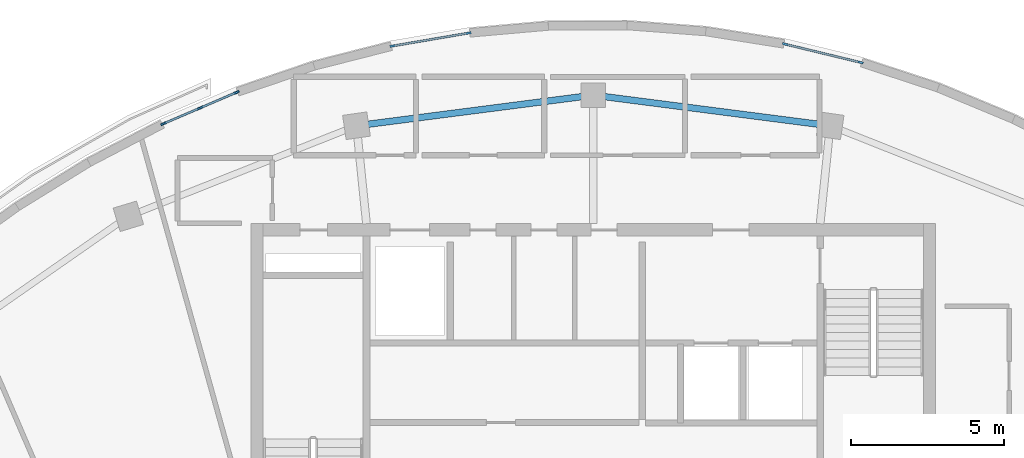
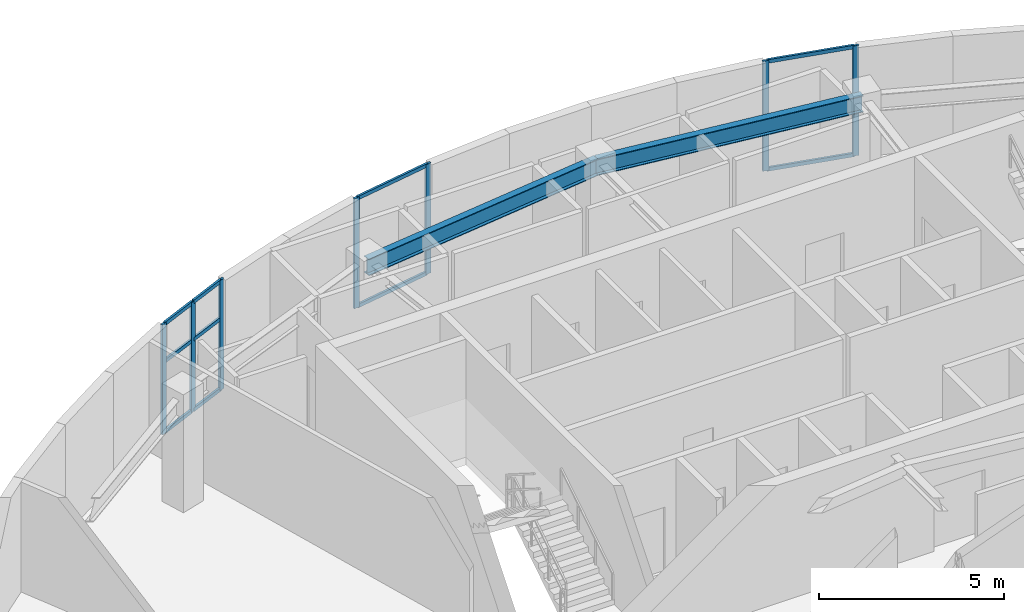
# One storey, part 4 of 11: 17 members, 2 beams, 3 elements without a shape of their own.
"""IFC4 building model written with IfcOpenShell, lengths in metres."""

from ifc_helpers import new_model, si_unit, direction, frame, origin, origin_2d, place, context, subcontext, project, spatial, rectangle, i_section, extrude, source, transform, mapped, material, layer, layer_set, material_profile, profile_set, type_object, element, aggregate, save


model = new_model("IFC4")

# Units and contexts
model_context = context("Model", 3, precision=1e-05, world=origin(), true_north=direction((0.0, 1.0)))
body_context = subcontext(model_context, "Body", "Model", "MODEL_VIEW")
ifc_project = project(units=[si_unit("LENGTHUNIT", "METRE"), si_unit("AREAUNIT", "SQUARE_METRE"), si_unit("VOLUMEUNIT", "CUBIC_METRE"), si_unit("PLANEANGLEUNIT", "RADIAN"), si_unit("MASSUNIT", "GRAM", prefix="KILO")], contexts=[model_context])

# Site, building, storey
site_placement = place(None, origin())
site = spatial("IfcSite", under=ifc_project, at=site_placement, CompositionType="ELEMENT")
building_placement = place(site_placement, origin())
building = spatial("IfcBuilding", under=site, at=building_placement, Name="Breltana Convention Tower", CompositionType="ELEMENT")
storey_placement = place(building_placement, frame((0.0, 0.0, 275.699951171875)))
storey = spatial("IfcBuildingStorey", under=building, at=storey_placement, Name="L67", CompositionType="ELEMENT", Elevation=275.699951171875)

# Beams
ifc_material_1 = material(Name="Steel ASTM A992 Grade 50", Category="steel")
ifc_material_profile_1 = material_profile(ifc_material_1, i_section(OverallWidth=0.214111328125, OverallDepth=0.549072265625, WebThickness=0.0146484375, FlangeThickness=0.023681640625, at=origin_2d()), Name="W21X93")
ifc_profile_set_1 = profile_set([ifc_material_profile_1], Name="Steel ASTM A992 Grade 50")
beam_type = type_object("IfcBeamType", Name="BM-SP-W21X93", PredefinedType="SPANDREL", material=ifc_profile_set_1)
shared_shape_1 = source(origin(), body_context, "Body", "SweptSolid", [
    extrude(i_section(OverallWidth=0.214111328125, OverallDepth=0.549072265625, WebThickness=0.0146484375, FlangeThickness=0.023681640625, at=origin_2d()), origin(), (0.0, 0.0, 1.0), 7.81103515625),
])
for number, where, z_axis, x_axis, name in (
    (1, (40.253173828125, 75.404296875, 3.365478515625), (0.991775179127, 0.127992164083, 0.0), (-0.127992164083, 0.991775179127, 0.0), "L67 Outer Spandrel Beam 05"),
    (2, (48.0, 76.404052734375, 3.365478515625), (0.991775179127, -0.127992164083, 0.0), (0.127992164083, 0.991775179127, 0.0), "L67 Outer Spandrel Beam 06"),
):
    element("IfcBeam", number, at=place(storey_placement, frame(where, z_axis=z_axis, x_axis=x_axis)), inside=storey, type_object=beam_type, Name=name, PredefinedType="SPANDREL", context=body_context, shape_type="MappedRepresentation", body=[
        mapped(shared_shape_1, transform((0.0, 0.0, 0.0), scale=1.0)),
    ])

# Curtain wall, members
ifc_material_2 = material(Name="Aluminium Anodised Bronze Frame", Category="aluminium")
ifc_layer = layer(ifc_material_2, 0.22998046875, Name="Aluminium Anodised Bronze Frame")
ifc_layer_set = layer_set([ifc_layer], Name="Aluminium Anodised Bronze Frame")
curtain_wall_type = type_object("IfcCurtainWallType", Name="CW-SYS-5", PredefinedType="NOTDEFINED", material=ifc_layer_set)
curtain_wall_1_placement = place(storey_placement, origin())
curtain_wall_1 = element("IfcCurtainWall", 3, at=curtain_wall_1_placement, inside=storey, type_object=curtain_wall_type, Name="L67 outer double-skin inner glazing 1", PredefinedType="NOTDEFINED")
ifc_material_3 = material(Name="Aluminium Anodised Bronze", Category="aluminium")
ifc_material_profile_2 = material_profile(ifc_material_3, rectangle(XDim=0.070068359375, YDim=0.175048828125, at=origin_2d()), Name="CWM-70X175")
ifc_profile_set_2 = profile_set([ifc_material_profile_2], Name="Aluminium Anodised Bronze")
member_type_1 = type_object("IfcMemberType", Name="CWM-175", PredefinedType="MULLION", material=ifc_profile_set_2)
shared_shape_2 = source(origin(), body_context, "Body", "SweptSolid", [
    extrude(rectangle(XDim=0.070068359375, YDim=0.175048828125, at=origin_2d()), origin(), (0.0, 0.0, 1.0), 3.64013671875),
])
member_1_placement = place(storey_placement, frame((33.939208984375, 75.47119140625, 0.0), z_axis=(0.0, 0.0, 1.0), x_axis=(-0.394181147261, 0.919032765, 0.0)))
member_1 = element("IfcMember", 4, at=member_1_placement, type_object=member_type_1, Name="CW-05 mullion 1", PredefinedType="MULLION", context=body_context, shape_type="MappedRepresentation", body=[
    mapped(shared_shape_2, transform((0.0, 0.0, 0.0), scale=1.0)),
])
member_2_placement = place(storey_placement, frame((35.135498046875, 75.984375, 0.0), z_axis=(0.0, 0.0, 1.0), x_axis=(-0.394181147261, 0.919032765, 0.0)))
member_2 = element("IfcMember", 5, at=member_2_placement, type_object=member_type_1, Name="CW-05 mullion 2", PredefinedType="MULLION", context=body_context, shape_type="MappedRepresentation", body=[
    mapped(shared_shape_2, transform((0.0, 0.0, 0.0), scale=1.0)),
])
member_3_placement = place(storey_placement, frame((36.33154296875, 76.497314453125, 0.0), z_axis=(0.0, 0.0, 1.0), x_axis=(-0.394181147261, 0.919032765, 0.0)))
member_3 = element("IfcMember", 6, at=member_3_placement, type_object=member_type_1, Name="CW-05 mullion 3", PredefinedType="MULLION", context=body_context, shape_type="MappedRepresentation", body=[
    mapped(shared_shape_2, transform((0.0, 0.0, 0.0), scale=1.0)),
])

curtain_wall_2_placement = place(storey_placement, origin())
curtain_wall_2 = element("IfcCurtainWall", 7, at=curtain_wall_2_placement, inside=storey, type_object=curtain_wall_type, Name="L67 outer double-skin inner glazing 2", PredefinedType="NOTDEFINED")
member_4_placement = place(storey_placement, frame((41.431396484375, 78.012451171875, 0.0), z_axis=(0.0, 0.0, 1.0), x_axis=(-0.168016928095, 0.985784110175, 0.0)))
member_4 = element("IfcMember", 8, at=member_4_placement, type_object=member_type_1, Name="CW-05 mullion 1", PredefinedType="MULLION", context=body_context, shape_type="MappedRepresentation", body=[
    mapped(shared_shape_2, transform((0.0, 0.0, 0.0), scale=1.0)),
])
member_5_placement = place(storey_placement, frame((43.919677734375, 78.4365234375, 0.0), z_axis=(0.0, 0.0, 1.0), x_axis=(-0.168016928095, 0.985784110175, 0.0)))
member_5 = element("IfcMember", 9, at=member_5_placement, type_object=member_type_1, Name="CW-05 mullion 2", PredefinedType="MULLION", context=body_context, shape_type="MappedRepresentation", body=[
    mapped(shared_shape_2, transform((0.0, 0.0, 0.0), scale=1.0)),
])

curtain_wall_3_placement = place(storey_placement, origin())
curtain_wall_3 = element("IfcCurtainWall", 10, at=curtain_wall_3_placement, inside=storey, type_object=curtain_wall_type, Name="L67 outer double-skin inner glazing 3", PredefinedType="NOTDEFINED")
member_6_placement = place(storey_placement, frame((54.273193359375, 78.0732421875, 0.0), z_axis=(0.0, 0.0, 1.0), x_axis=(0.235517807109, 0.971870033767, 0.0)))
member_6 = element("IfcMember", 11, at=member_6_placement, type_object=member_type_1, Name="CW-05 mullion 1", PredefinedType="MULLION", context=body_context, shape_type="MappedRepresentation", body=[
    mapped(shared_shape_2, transform((0.0, 0.0, 0.0), scale=1.0)),
])
member_7_placement = place(storey_placement, frame((56.74267578125, 77.474853515625, 0.0), z_axis=(0.0, 0.0, 1.0), x_axis=(0.235517807109, 0.971870033767, 0.0)))
member_7 = element("IfcMember", 12, at=member_7_placement, type_object=member_type_1, Name="CW-05 mullion 2", PredefinedType="MULLION", context=body_context, shape_type="MappedRepresentation", body=[
    mapped(shared_shape_2, transform((0.0, 0.0, 0.0), scale=1.0)),
])

# Member
ifc_material_profile_3 = material_profile(ifc_material_3, rectangle(XDim=0.070068359375, YDim=0.1201171875, at=origin_2d()), Name="CWT-70X120")
ifc_profile_set_3 = profile_set([ifc_material_profile_3], Name="Aluminium Anodised Bronze")
member_type_2 = type_object("IfcMemberType", Name="CWT-120", PredefinedType="USERDEFINED", material=ifc_profile_set_3)
shared_shape_3 = source(origin(), body_context, "Body", "SweptSolid", [
    extrude(rectangle(XDim=0.070068359375, YDim=0.1201171875, at=origin_2d()), origin(), (0.0, 0.0, 1.0), 1.2314453125),
])
member_8_placement = place(storey_placement, frame((33.971435546875, 75.485107421875, 0.03515625), z_axis=(0.919062977749, 0.394110698828, 0.0), x_axis=(-0.394110698828, 0.919062977749, 0.0)))
member_8 = element("IfcMember", 13, at=member_8_placement, type_object=member_type_2, Name="CW-05 transom 1.1", ObjectType="TRANSOM", PredefinedType="USERDEFINED", context=body_context, shape_type="MappedRepresentation", body=[
    mapped(shared_shape_3, transform((0.0, 0.0, 0.0), scale=1.0)),
])

member_9_placement = place(storey_placement, frame((33.971435546875, 75.485107421875, 2.365966796875), z_axis=(0.919062977749, 0.394110698828, 0.0), x_axis=(-0.394110698828, 0.919062977749, 0.0)))
member_9 = element("IfcMember", 14, at=member_9_placement, type_object=member_type_2, Name="CW-05 transom 1.2", ObjectType="TRANSOM", PredefinedType="USERDEFINED", context=body_context, shape_type="MappedRepresentation", body=[
    mapped(shared_shape_3, transform((0.0, 0.0, 0.0), scale=1.0)),
])

member_10_placement = place(storey_placement, frame((33.971435546875, 75.485107421875, 3.60498046875), z_axis=(0.919062977749, 0.394110698828, 0.0), x_axis=(-0.394110698828, 0.919062977749, 0.0)))
member_10 = element("IfcMember", 15, at=member_10_placement, type_object=member_type_2, Name="CW-05 transom 1.3", ObjectType="TRANSOM", PredefinedType="USERDEFINED", context=body_context, shape_type="MappedRepresentation", body=[
    mapped(shared_shape_3, transform((0.0, 0.0, 0.0), scale=1.0)),
])

shared_shape_4 = source(origin(), body_context, "Body", "SweptSolid", [
    extrude(rectangle(XDim=0.070068359375, YDim=0.1201171875, at=origin_2d()), origin(), (0.0, 0.0, 1.0), 1.231689453125),
])
member_11_placement = place(storey_placement, frame((35.167724609375, 75.998046875, 0.03515625), z_axis=(0.918991161346, 0.394278131993, 0.0), x_axis=(-0.394278131993, 0.918991161346, 0.0)))
member_11 = element("IfcMember", 16, at=member_11_placement, type_object=member_type_2, Name="CW-05 transom 2.1", ObjectType="TRANSOM", PredefinedType="USERDEFINED", context=body_context, shape_type="MappedRepresentation", body=[
    mapped(shared_shape_4, transform((0.0, 0.0, 0.0), scale=1.0)),
])

member_12_placement = place(storey_placement, frame((35.167724609375, 75.998046875, 2.365966796875), z_axis=(0.918991161346, 0.394278131993, 0.0), x_axis=(-0.394278131993, 0.918991161346, 0.0)))
member_12 = element("IfcMember", 17, at=member_12_placement, type_object=member_type_2, Name="CW-05 transom 2.2", ObjectType="TRANSOM", PredefinedType="USERDEFINED", context=body_context, shape_type="MappedRepresentation", body=[
    mapped(shared_shape_4, transform((0.0, 0.0, 0.0), scale=1.0)),
])

member_13_placement = place(storey_placement, frame((35.167724609375, 75.998046875, 3.60498046875), z_axis=(0.918991161346, 0.394278131993, 0.0), x_axis=(-0.394278131993, 0.918991161346, 0.0)))
member_13 = element("IfcMember", 18, at=member_13_placement, type_object=member_type_2, Name="CW-05 transom 2.3", ObjectType="TRANSOM", PredefinedType="USERDEFINED", context=body_context, shape_type="MappedRepresentation", body=[
    mapped(shared_shape_4, transform((0.0, 0.0, 0.0), scale=1.0)),
])

aggregate(curtain_wall_1, [member_1, member_2, member_3, member_8, member_9, member_10, member_11, member_12, member_13])

shared_shape_5 = source(origin(), body_context, "Body", "SweptSolid", [
    extrude(rectangle(XDim=0.070068359375, YDim=0.1201171875, at=origin_2d()), origin(), (0.0, 0.0, 1.0), 2.454345703125),
])
member_14_placement = place(storey_placement, frame((41.4658203125, 78.018310546875, 0.03515625), z_axis=(0.985785086136, 0.168011201865, 0.0), x_axis=(-0.168011201865, 0.985785086136, 0.0)))
member_14 = element("IfcMember", 19, at=member_14_placement, type_object=member_type_2, Name="CW-05 transom 1.1", ObjectType="TRANSOM", PredefinedType="USERDEFINED", context=body_context, shape_type="MappedRepresentation", body=[
    mapped(shared_shape_5, transform((0.0, 0.0, 0.0), scale=1.0)),
])

member_15_placement = place(storey_placement, frame((41.4658203125, 78.018310546875, 3.60498046875), z_axis=(0.985785086136, 0.168011201865, 0.0), x_axis=(-0.168011201865, 0.985785086136, 0.0)))
member_15 = element("IfcMember", 20, at=member_15_placement, type_object=member_type_2, Name="CW-05 transom 1.2", ObjectType="TRANSOM", PredefinedType="USERDEFINED", context=body_context, shape_type="MappedRepresentation", body=[
    mapped(shared_shape_5, transform((0.0, 0.0, 0.0), scale=1.0)),
])

aggregate(curtain_wall_2, [member_4, member_5, member_14, member_15])

shared_shape_6 = source(origin(), body_context, "Body", "SweptSolid", [
    extrude(rectangle(XDim=0.070068359375, YDim=0.1201171875, at=origin_2d()), origin(), (0.0, 0.0, 1.0), 2.470947265625),
])
member_16_placement = place(storey_placement, frame((54.30712890625, 78.065185546875, 0.03515625), z_axis=(0.971861073618, -0.235554778315, 0.0), x_axis=(0.235554778315, 0.971861073618, 0.0)))
member_16 = element("IfcMember", 21, at=member_16_placement, type_object=member_type_2, Name="CW-05 transom 1.1", ObjectType="TRANSOM", PredefinedType="USERDEFINED", context=body_context, shape_type="MappedRepresentation", body=[
    mapped(shared_shape_6, transform((0.0, 0.0, 0.0), scale=1.0)),
])

member_17_placement = place(storey_placement, frame((54.30712890625, 78.065185546875, 3.60498046875), z_axis=(0.971861073618, -0.235554778315, 0.0), x_axis=(0.235554778315, 0.971861073618, 0.0)))
member_17 = element("IfcMember", 22, at=member_17_placement, type_object=member_type_2, Name="CW-05 transom 1.2", ObjectType="TRANSOM", PredefinedType="USERDEFINED", context=body_context, shape_type="MappedRepresentation", body=[
    mapped(shared_shape_6, transform((0.0, 0.0, 0.0), scale=1.0)),
])

aggregate(curtain_wall_3, [member_6, member_7, member_16, member_17])

save(model, "model.ifc")
